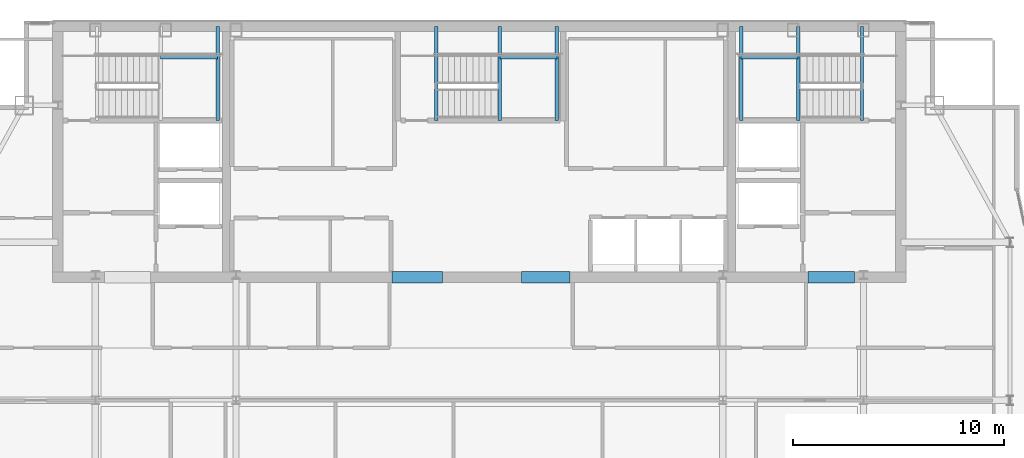
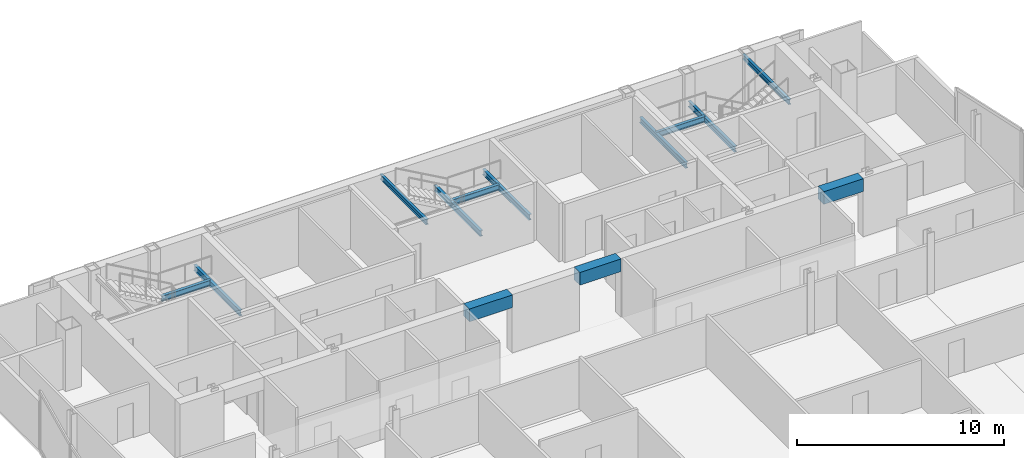
# One storey, part 21 of 29: 13 beams.
"""IFC4 building model written with IfcOpenShell, lengths in metres."""

from ifc_helpers import new_model, si_unit, direction, frame, origin, origin_2d, place, context, subcontext, project, spatial, rectangle, i_section, extrude, material, material_profile, profile_set, type_object, element, save


model = new_model("IFC4")

# Units and contexts
model_context = context("Model", 3, precision=1e-05, world=origin(), true_north=direction((0.0, 1.0)))
body_context = subcontext(model_context, "Body", "Model", "MODEL_VIEW")
ifc_project = project(units=[si_unit("LENGTHUNIT", "METRE"), si_unit("AREAUNIT", "SQUARE_METRE"), si_unit("VOLUMEUNIT", "CUBIC_METRE"), si_unit("PLANEANGLEUNIT", "RADIAN"), si_unit("MASSUNIT", "GRAM", prefix="KILO")], contexts=[model_context])

# Site, building, storey
site_placement = place(None, origin())
site = spatial("IfcSite", under=ifc_project, at=site_placement, CompositionType="ELEMENT")
building_placement = place(site_placement, origin())
building = spatial("IfcBuilding", under=site, at=building_placement, Name="Khoronbel Lancet Exchange", CompositionType="ELEMENT")
storey_placement = place(building_placement, frame((0.0, 0.0, 329.0)))
storey = spatial("IfcBuildingStorey", under=building, at=storey_placement, Name="L85", CompositionType="ELEMENT", Elevation=329.0)

# Beams
ifc_material_1 = material(Name="Steel S355", Category="steel")
ifc_material_profile_1 = material_profile(ifc_material_1, i_section(OverallWidth=0.159912109375, OverallDepth=0.330078125, WebThickness=0.007568359375, FlangeThickness=0.011474609375, at=origin_2d()), Name="IPE 330")
ifc_profile_set_1 = profile_set([ifc_material_profile_1], Name="Steel S355")
beam_type_1 = type_object("IfcBeamType", Name="BM-BJ7", PredefinedType="JOIST", material=ifc_profile_set_1)
beam_1_placement = place(storey_placement, frame((24.030029296875, 48.97998046875, 1.43505859375), z_axis=(0.0, 1.0, 0.0), x_axis=(-1.0, 0.0, 0.0)))
element("IfcBeam", 1, at=beam_1_placement, inside=storey, type_object=beam_type_1, Name="Level L85 stair ST1 rear landing bearer beam 1", PredefinedType="JOIST", context=body_context, shape_type="SweptSolid", body=[
    extrude(i_section(OverallWidth=0.159912109375, OverallDepth=0.330078125, WebThickness=0.007568359375, FlangeThickness=0.011474609375, at=origin_2d()), origin(), (0.0, 0.0, 1.0), 4.469970703125),
])
beam_2_placement = place(storey_placement, frame((21.320068359375, 51.97998046875, 1.43505859375), z_axis=(1.0, 0.0, 0.0), x_axis=(0.0, 1.0, 0.0)))
element("IfcBeam", 2, at=beam_2_placement, inside=storey, type_object=beam_type_1, Name="Level L85 stair ST1 landing cross trimmer beam 1", PredefinedType="JOIST", context=body_context, shape_type="SweptSolid", body=[
    extrude(i_section(OverallWidth=0.159912109375, OverallDepth=0.330078125, WebThickness=0.007568359375, FlangeThickness=0.011474609375, at=origin_2d()), origin(), (0.0, 0.0, 1.0), 2.7099609375),
])
for number, where, z_axis, x_axis, name in (
    (3, (51.580078125, 48.97998046875, 1.43505859375), (0.0, 1.0, 0.0), (-1.0, 0.0, 0.0), "Level L85 stair ST2 landing bearer beam 1"),
    (4, (48.8701171875, 48.97998046875, 1.43505859375), (0.0, 1.0, 0.0), (-1.0, 0.0, 0.0), "Level L85 stair ST2 rear landing bearer beam 1"),
):
    element("IfcBeam", number, at=place(storey_placement, frame(where, z_axis=z_axis, x_axis=x_axis)), inside=storey, type_object=beam_type_1, Name=name, PredefinedType="JOIST", context=body_context, shape_type="SweptSolid", body=[
        extrude(i_section(OverallWidth=0.159912109375, OverallDepth=0.330078125, WebThickness=0.007568359375, FlangeThickness=0.011474609375, at=origin_2d()), origin(), (0.0, 0.0, 1.0), 4.469970703125),
    ])
beam_3_placement = place(storey_placement, frame((48.8701171875, 51.97998046875, 1.43505859375), z_axis=(1.0, 0.0, 0.0), x_axis=(0.0, 1.0, 0.0)))
element("IfcBeam", 5, at=beam_3_placement, inside=storey, type_object=beam_type_1, Name="Level L85 stair ST2 landing cross trimmer beam 1", PredefinedType="JOIST", context=body_context, shape_type="SweptSolid", body=[
    extrude(i_section(OverallWidth=0.159912109375, OverallDepth=0.330078125, WebThickness=0.007568359375, FlangeThickness=0.011474609375, at=origin_2d()), origin(), (0.0, 0.0, 1.0), 2.7099609375),
])
for number, where, z_axis, x_axis, name in (
    (6, (37.419921875, 48.97998046875, 1.43505859375), (0.0, 1.0, 0.0), (-1.0, 0.0, 0.0), "Level L85 stair ST3 landing bearer beam 1"),
    (7, (40.1298828125, 48.97998046875, 1.43505859375), (0.0, 1.0, 0.0), (-1.0, 0.0, 0.0), "Level L85 stair ST3 rear landing bearer beam 1"),
):
    element("IfcBeam", number, at=place(storey_placement, frame(where, z_axis=z_axis, x_axis=x_axis)), inside=storey, type_object=beam_type_1, Name=name, PredefinedType="JOIST", context=body_context, shape_type="SweptSolid", body=[
        extrude(i_section(OverallWidth=0.159912109375, OverallDepth=0.330078125, WebThickness=0.007568359375, FlangeThickness=0.011474609375, at=origin_2d()), origin(), (0.0, 0.0, 1.0), 4.469970703125),
    ])
beam_4_placement = place(storey_placement, frame((37.419921875, 51.97998046875, 1.43505859375), z_axis=(1.0, 0.0, 0.0), x_axis=(0.0, 1.0, 0.0)))
element("IfcBeam", 8, at=beam_4_placement, inside=storey, type_object=beam_type_1, Name="Level L85 stair ST3 landing cross trimmer beam 1", PredefinedType="JOIST", context=body_context, shape_type="SweptSolid", body=[
    extrude(i_section(OverallWidth=0.159912109375, OverallDepth=0.330078125, WebThickness=0.007568359375, FlangeThickness=0.011474609375, at=origin_2d()), origin(), (0.0, 0.0, 1.0), 2.7099609375),
])
ifc_material_profile_2 = material_profile(ifc_material_1, i_section(OverallWidth=0.14990234375, OverallDepth=0.300048828125, WebThickness=0.007080078125, FlangeThickness=0.0107421875, at=origin_2d()), Name="IPE 300")
ifc_profile_set_2 = profile_set([ifc_material_profile_2], Name="Steel S355")
beam_type_2 = type_object("IfcBeamType", Name="BM-BJ8", PredefinedType="JOIST", material=ifc_profile_set_2)
for number, where, z_axis, x_axis, name in (
    (9, (54.60009765625, 48.97998046875, 3.159912109375), (0.0, 1.0, 0.0), (-1.0, 0.0, 0.0), "Level L85 stair ST2 upper-flight arrival trimmer beam"),
    (10, (34.39990234375, 48.97998046875, 3.159912109375), (0.0, 1.0, 0.0), (-1.0, 0.0, 0.0), "Level L85 stair ST3 upper-flight arrival trimmer beam"),
):
    element("IfcBeam", number, at=place(storey_placement, frame(where, z_axis=z_axis, x_axis=x_axis)), inside=storey, type_object=beam_type_2, Name=name, PredefinedType="JOIST", context=body_context, shape_type="SweptSolid", body=[
        extrude(i_section(OverallWidth=0.14990234375, OverallDepth=0.300048828125, WebThickness=0.007080078125, FlangeThickness=0.0107421875, at=origin_2d()), origin(), (0.0, 0.0, 1.0), 4.469970703125),
    ])
ifc_material_2 = material(Name="Concrete C60/75", Category="concrete")
ifc_material_profile_3 = material_profile(ifc_material_2, rectangle(XDim=0.550048828125, YDim=0.75, at=origin_2d()), Name="RC 550x750")
ifc_profile_set_3 = profile_set([ifc_material_profile_3], Name="Concrete C60/75")
beam_type_3 = type_object("IfcBeamType", Name="BM-BL2", PredefinedType="LINTEL", material=ifc_profile_set_3)
beam_5_placement = place(storey_placement, frame((32.300048828125, 41.550048828125, 3.06494140625), z_axis=(1.0, 0.0, 0.0), x_axis=(0.0, 1.0, 0.0)))
element("IfcBeam", 11, at=beam_5_placement, inside=storey, type_object=beam_type_3, Name="Level L85 rear core coupling lintel L2", PredefinedType="LINTEL", context=body_context, shape_type="SweptSolid", body=[
    extrude(rectangle(XDim=0.550048828125, YDim=0.75, at=origin_2d()), origin(), (0.0, 0.0, 1.0), 2.39990234375),
])
beam_6_placement = place(storey_placement, frame((38.449951171875, 41.550048828125, 3.06494140625), z_axis=(1.0, 0.0, 0.0), x_axis=(0.0, 1.0, 0.0)))
element("IfcBeam", 12, at=beam_6_placement, inside=storey, type_object=beam_type_3, Name="Level L85 rear core coupling lintel L3", PredefinedType="LINTEL", context=body_context, shape_type="SweptSolid", body=[
    extrude(rectangle(XDim=0.550048828125, YDim=0.75, at=origin_2d()), origin(), (0.0, 0.0, 1.0), 2.300048828125),
])
beam_7_placement = place(storey_placement, frame((52.050048828125, 41.550048828125, 3.06494140625), z_axis=(1.0, 0.0, 0.0), x_axis=(0.0, 1.0, 0.0)))
element("IfcBeam", 13, at=beam_7_placement, inside=storey, type_object=beam_type_3, Name="Level L85 rear core coupling lintel L4", PredefinedType="LINTEL", context=body_context, shape_type="SweptSolid", body=[
    extrude(rectangle(XDim=0.550048828125, YDim=0.75, at=origin_2d()), origin(), (0.0, 0.0, 1.0), 2.199951171875),
])

save(model, "model.ifc")
